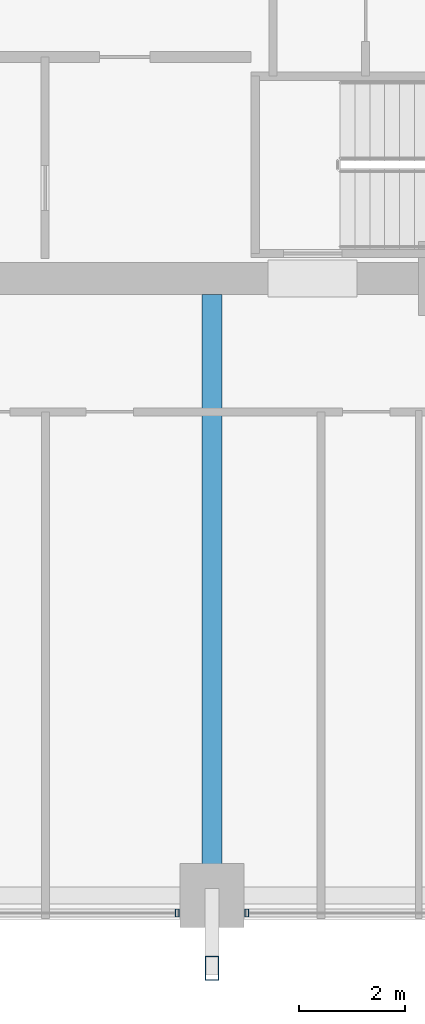
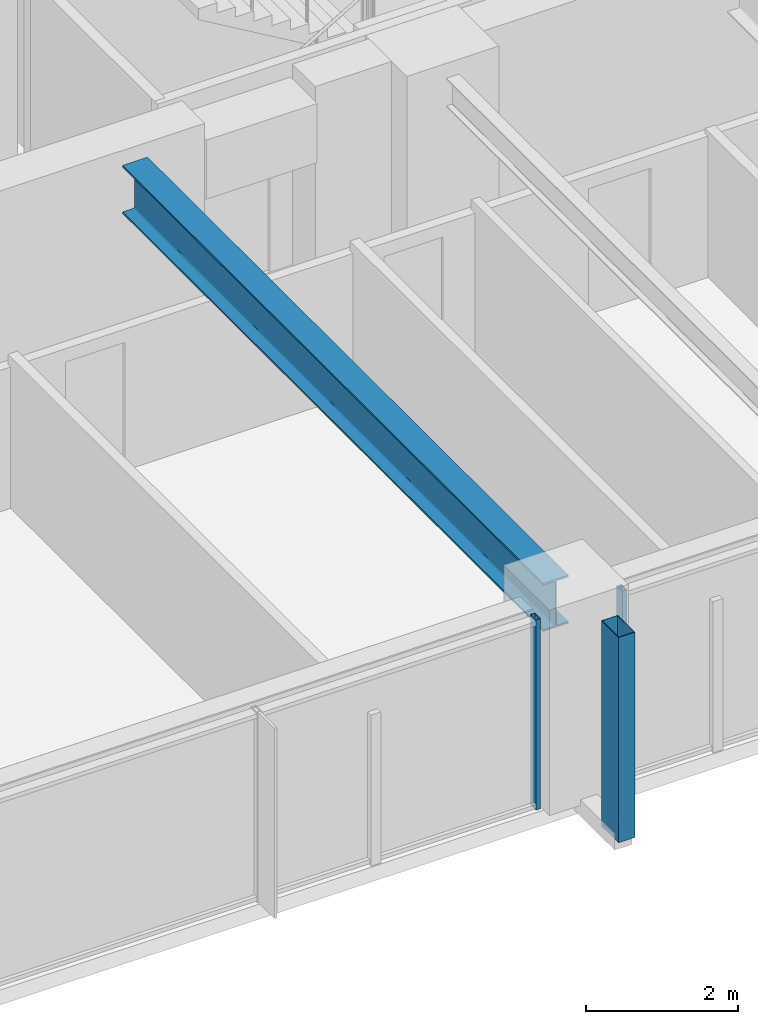
# One storey, part 5 of 38: 3 members, 1 beam, 2 elements without a shape of their own.
"""IFC4 building model written with IfcOpenShell, lengths in metres."""

from ifc_helpers import new_model, si_unit, direction, frame, origin, origin_2d, place, context, subcontext, project, spatial, hollow_rectangle, i_section, extrude, material, material_profile, profile_set, type_object, element, aggregate, save


model = new_model("IFC4")

# Units and contexts
model_context = context("Model", 3, precision=1e-05, world=origin(), true_north=direction((0.0, 1.0)))
body_context = subcontext(model_context, "Body", "Model", "MODEL_VIEW")
ifc_project = project(units=[si_unit("LENGTHUNIT", "METRE"), si_unit("AREAUNIT", "SQUARE_METRE"), si_unit("VOLUMEUNIT", "CUBIC_METRE"), si_unit("PLANEANGLEUNIT", "RADIAN"), si_unit("MASSUNIT", "GRAM", prefix="KILO")], contexts=[model_context])

# Site, building, storey
site_placement = place(None, origin())
site = spatial("IfcSite", under=ifc_project, at=site_placement, CompositionType="ELEMENT")
building_placement = place(site_placement, origin())
building = spatial("IfcBuilding", under=site, at=building_placement, Name="Kolvaren Belvedere", CompositionType="ELEMENT")
storey_placement = place(building_placement, frame((0.0, 0.0, 53.5)))
storey = spatial("IfcBuildingStorey", under=building, at=storey_placement, Name="L15", CompositionType="ELEMENT", Elevation=53.5)

# Beam
ifc_material_1 = material(Name="Structural steel ASTM A992 Grade 50", Category="steel")
ifc_material_profile_1 = material_profile(ifc_material_1, i_section(OverallWidth=0.381103515625, OverallDepth=0.77294921875, WebThickness=0.0166015625, FlangeThickness=0.027099609375, FilletRadius=0.02392578125, at=origin_2d()), Name="W30X173")
ifc_profile_set_1 = profile_set([ifc_material_profile_1], Name="Structural steel ASTM A992 Grade 50")
beam_type = type_object("IfcBeamType", Name="BM-GIRD-W30X173", PredefinedType="BEAM", material=ifc_profile_set_1)
beam_placement = place(storey_placement, frame((-4.60009765625, -10.199951171875, 2.673583984375), z_axis=(0.0, -1.0, 0.0), x_axis=(1.0, 0.0, 0.0)))
element("IfcBeam", 1, at=beam_placement, inside=storey, type_object=beam_type, Name="L15 South Radial Girder M", PredefinedType="BEAM", context=body_context, shape_type="SweptSolid", body=[
    extrude(i_section(OverallWidth=0.381103515625, OverallDepth=0.77294921875, WebThickness=0.0166015625, FlangeThickness=0.027099609375, FilletRadius=0.02392578125, at=origin_2d()), origin(), (0.0, 0.0, 1.0), 11.080078125),
])

# Curtain wall, member
ifc_material_2 = material(Name="Anodised pale-metal aluminium AA 6063-T6", Category="aluminium")
curtain_wall_type = type_object("IfcCurtainWallType", Name="CW-Z1-LOW", PredefinedType="NOTDEFINED", material=ifc_material_2)
curtain_wall_1_placement = place(storey_placement, origin())
curtain_wall_1 = element("IfcCurtainWall", 2, at=curtain_wall_1_placement, inside=storey, type_object=curtain_wall_type, Name="L15 Unitised Curtain Wall FCW-L15-S-B2", PredefinedType="NOTDEFINED")
ifc_material_3 = material(Name="Anodised pale-metal aluminium AA 6063-T6", Category="aluminium")
ifc_material_profile_2 = material_profile(ifc_material_3, hollow_rectangle(XDim=0.070068359375, YDim=0.14990234375, WallThickness=0.004150390625, at=origin_2d()), Name="ALU-MUL-150X70")
ifc_profile_set_2 = profile_set([ifc_material_profile_2], Name="Anodised pale-metal aluminium AA 6063-T6")
member_type_1 = type_object("IfcMemberType", Name="CW-MUL-150", PredefinedType="MULLION", material=ifc_profile_set_2)
member_1_placement = place(storey_placement, frame((-3.945068359375, -21.8798828125, 0.0), z_axis=(0.0, 0.0, 1.0), x_axis=(1.0, 0.0, 0.0)))
member_1 = element("IfcMember", 3, at=member_1_placement, type_object=member_type_1, Name="FCW-L15-S-B2 Unitised Mullion 3", PredefinedType="MULLION", context=body_context, shape_type="SweptSolid", body=[
    extrude(hollow_rectangle(XDim=0.070068359375, YDim=0.14990234375, WallThickness=0.004150390625, at=origin_2d()), origin(), (0.0, 0.0, 1.0), 3.06005859375),
])
aggregate(curtain_wall_1, [member_1])

curtain_wall_2_placement = place(storey_placement, origin())
curtain_wall_2 = element("IfcCurtainWall", 4, at=curtain_wall_2_placement, inside=storey, type_object=curtain_wall_type, Name="L15 Unitised Curtain Wall FCW-L15-S-B3", PredefinedType="NOTDEFINED")
member_2_placement = place(storey_placement, frame((-5.2548828125, -21.8798828125, 0.0), z_axis=(0.0, 0.0, 1.0), x_axis=(1.0, 0.0, 0.0)))
member_2 = element("IfcMember", 5, at=member_2_placement, type_object=member_type_1, Name="FCW-L15-S-B3 Unitised Mullion 1", PredefinedType="MULLION", context=body_context, shape_type="SweptSolid", body=[
    extrude(hollow_rectangle(XDim=0.070068359375, YDim=0.14990234375, WallThickness=0.004150390625, at=origin_2d()), origin(), (0.0, 0.0, 1.0), 3.06005859375),
])
aggregate(curtain_wall_2, [member_2])

# Member
ifc_material_4 = material(Name="Anodised pale-metal aluminium AA 6063-T6", Category="aluminium")
ifc_material_profile_3 = material_profile(ifc_material_4, hollow_rectangle(XDim=0.25, YDim=0.449951171875, WallThickness=0.008544921875, at=origin_2d()), Name="ALU-PF-450X250")
ifc_profile_set_3 = profile_set([ifc_material_profile_3], Name="Anodised pale-metal aluminium AA 6063-T6")
member_type_2 = type_object("IfcMemberType", Name="PF-FRAME-450", PredefinedType="USERDEFINED", material=ifc_profile_set_3)
member_3_placement = place(storey_placement, frame((-4.60009765625, -22.919921875, 0.0), z_axis=(0.0, 0.0, 1.0), x_axis=(1.0, 0.0, 0.0)))
element("IfcMember", 6, at=member_3_placement, inside=storey, type_object=member_type_2, Name="L15 Outboard Picture-Frame Vertical S2", ObjectType="PICTURE FRAME FIN", PredefinedType="USERDEFINED", context=body_context, shape_type="SweptSolid", body=[
    extrude(hollow_rectangle(XDim=0.25, YDim=0.449951171875, WallThickness=0.008544921875, at=origin_2d()), origin(), (0.0, 0.0, 1.0), 3.300048828125),
])

save(model, "model.ifc")
